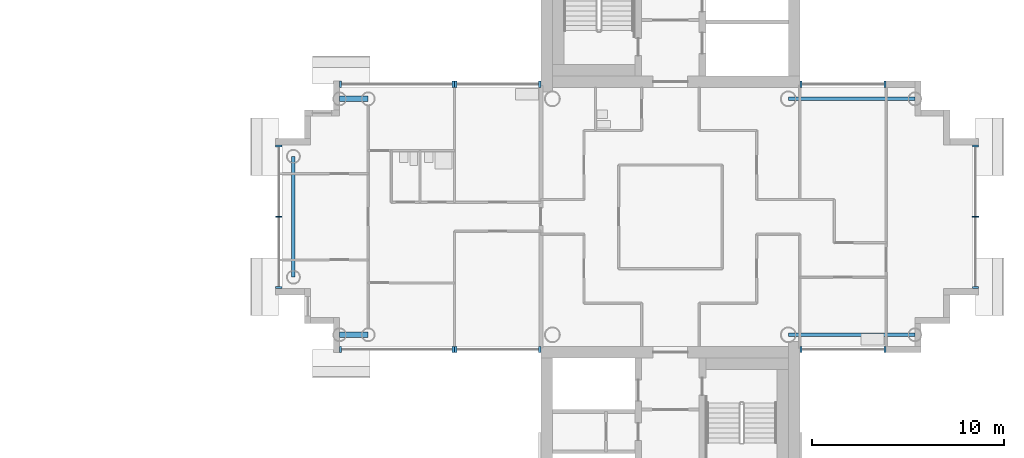
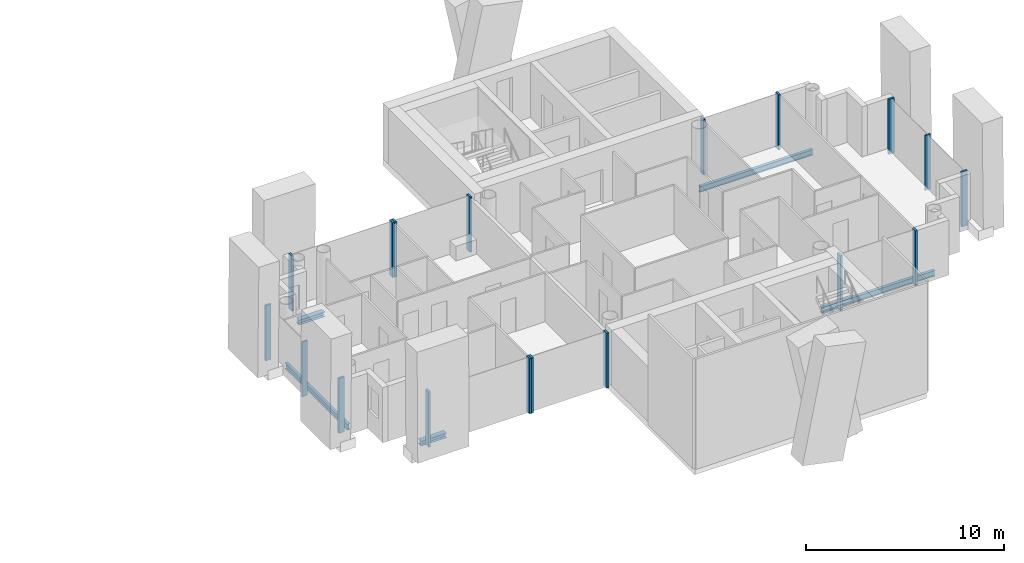
# One storey, part 4 of 18: 18 members, 5 beams, 8 elements without a shape of their own.
"""IFC4 building model written with IfcOpenShell, lengths in metres."""

from ifc_helpers import new_model, si_unit, direction, frame, origin, origin_2d, place, context, subcontext, project, spatial, rectangle, i_section, extrude, material, layer, layer_set, material_profile, profile_set, type_object, element, aggregate, save


model = new_model("IFC4")

# Units and contexts
model_context = context("Model", 3, precision=1e-05, world=origin(), true_north=direction((0.0, 1.0)))
body_context = subcontext(model_context, "Body", "Model", "MODEL_VIEW")
ifc_project = project(units=[si_unit("LENGTHUNIT", "METRE"), si_unit("AREAUNIT", "SQUARE_METRE"), si_unit("VOLUMEUNIT", "CUBIC_METRE"), si_unit("PLANEANGLEUNIT", "RADIAN"), si_unit("MASSUNIT", "GRAM", prefix="KILO")], contexts=[model_context])

# Site, building, storey
site_placement = place(None, origin())
site = spatial("IfcSite", under=ifc_project, at=site_placement, CompositionType="ELEMENT")
building_placement = place(site_placement, origin())
building = spatial("IfcBuilding", under=site, at=building_placement, Name="Ipe Terrace Towers", CompositionType="ELEMENT")
storey_placement = place(building_placement, frame((0.0, 0.0, 202.800048828125)))
storey = spatial("IfcBuildingStorey", under=building, at=storey_placement, Name="L56", CompositionType="ELEMENT", Elevation=202.800048828125)

# Beams
ifc_material_1 = material(Name="Steel S355", Category="steel")
ifc_material_profile_1 = material_profile(ifc_material_1, i_section(OverallWidth=0.300048828125, OverallDepth=0.300048828125, WebThickness=0.010009765625, FlangeThickness=0.014892578125, at=origin_2d()), Name="H-300x300x10x15")
ifc_profile_set_1 = profile_set([ifc_material_profile_1], Name="Steel S355")
beam_type_1 = type_object("IfcBeamType", Name="H03 EDGE BEAM H-300x300x10x15", PredefinedType="BEAM", material=ifc_profile_set_1)
for number, where, z_axis, x_axis, name in (
    (1, (20.25, 6.14990234375, -0.550048828125), (-1.0, 0.0, 0.0), (0.0, -1.0, 0.0), "Edge beam T2-EB-B03-B05"),
    (2, (20.25, -6.14990234375, -0.550048828125), (-1.0, 0.0, 0.0), (0.0, -1.0, 0.0), "Edge beam T2-EB-B04-B06"),
):
    element("IfcBeam", number, at=place(storey_placement, frame(where, z_axis=z_axis, x_axis=x_axis)), inside=storey, type_object=beam_type_1, Name=name, PredefinedType="BEAM", context=body_context, shape_type="SweptSolid", body=[
        extrude(i_section(OverallWidth=0.300048828125, OverallDepth=0.300048828125, WebThickness=0.010009765625, FlangeThickness=0.014892578125, at=origin_2d()), origin(), (0.0, 0.0, 1.0), 1.5),
    ])
ifc_material_2 = material(Name="Steel S355", Category="steel")
ifc_material_profile_2 = material_profile(ifc_material_2, i_section(OverallWidth=0.175048828125, OverallDepth=0.35009765625, WebThickness=0.007080078125, FlangeThickness=0.010986328125, at=origin_2d()), Name="H-350x175x7x11")
ifc_profile_set_2 = profile_set([ifc_material_profile_2], Name="Steel S355")
beam_type_2 = type_object("IfcBeamType", Name="H04 EDGE BEAM H-350x175x7x11", PredefinedType="BEAM", material=ifc_profile_set_2)
beam_placement = place(storey_placement, frame((16.35009765625, 3.14990234375, -0.574951171875), z_axis=(0.0, -1.0, 0.0), x_axis=(1.0, 0.0, 0.0)))
element("IfcBeam", 3, at=beam_placement, inside=storey, type_object=beam_type_2, Name="Edge beam T2-EB-B07-B08", PredefinedType="BEAM", context=body_context, shape_type="SweptSolid", body=[
    extrude(i_section(OverallWidth=0.175048828125, OverallDepth=0.35009765625, WebThickness=0.007080078125, FlangeThickness=0.010986328125, at=origin_2d()), origin(), (0.0, 0.0, 1.0), 6.2998046875),
])
for number, where, z_axis, x_axis, name in (
    (4, (48.75, -6.14990234375, -0.574951171875), (-1.0, 0.0, 0.0), (0.0, -1.0, 0.0), "Edge beam T2-EB-D01-E01"),
    (5, (48.75, 6.14990234375, -0.574951171875), (-1.0, 0.0, 0.0), (0.0, -1.0, 0.0), "Edge beam T2-EB-D02-E02"),
):
    element("IfcBeam", number, at=place(storey_placement, frame(where, z_axis=z_axis, x_axis=x_axis)), inside=storey, type_object=beam_type_2, Name=name, PredefinedType="BEAM", context=body_context, shape_type="SweptSolid", body=[
        extrude(i_section(OverallWidth=0.175048828125, OverallDepth=0.35009765625, WebThickness=0.007080078125, FlangeThickness=0.010986328125, at=origin_2d()), origin(), (0.0, 0.0, 1.0), 6.60009765625),
    ])

# Curtain wall, members
ifc_material_3 = material(Name="Aluminium alloy 6063-T6", Category="aluminium")
ifc_layer = layer(ifc_material_3, 0.320068359375)
ifc_layer_set = layer_set([ifc_layer], Name="TOWER UNITISED CURTAIN WALL")
curtain_wall_type = type_object("IfcCurtainWallType", Name="TOWER UNITISED CURTAIN WALL", PredefinedType="NOTDEFINED", material=ifc_layer_set)
curtain_wall_1_placement = place(storey_placement, origin())
curtain_wall_1 = element("IfcCurtainWall", 6, at=curtain_wall_1_placement, inside=storey, type_object=curtain_wall_type, Name="T2-CW-L56-02a curtain wall", PredefinedType="NOTDEFINED")
ifc_material_4 = material(Name="Aluminium alloy 6063-T6", Category="aluminium")
ifc_material_profile_3 = material_profile(ifc_material_4, rectangle(XDim=0.320068359375, YDim=0.1201171875, at=origin_2d()), Name="TOWER UNITISED CORNER MULLION 320 x 120")
ifc_profile_set_3 = profile_set([ifc_material_profile_3], Name="Aluminium alloy 6063-T6")
member_type_1 = type_object("IfcMemberType", Name="TOWER UNITISED CORNER MULLION 320 x 120", PredefinedType="MULLION", material=ifc_profile_set_3)
member_1_placement = place(storey_placement, frame((42.81005859375, -6.909912109375, -0.300048828125), z_axis=(0.0, 0.0, 1.0), x_axis=(0.0, -1.0, 0.0)))
member_1 = element("IfcMember", 7, at=member_1_placement, type_object=member_type_1, Name="T2-CW-L56-02a mullion 1", PredefinedType="MULLION", context=body_context, shape_type="SweptSolid", body=[
    extrude(rectangle(XDim=0.320068359375, YDim=0.1201171875, at=origin_2d()), origin(), (0.0, 0.0, 1.0), 3.39990234375),
])
member_2_placement = place(storey_placement, frame((47.18994140625, -6.909912109375, -0.300048828125), z_axis=(0.0, 0.0, 1.0), x_axis=(0.0, -1.0, 0.0)))
member_2 = element("IfcMember", 8, at=member_2_placement, type_object=member_type_1, Name="T2-CW-L56-02a mullion 2", PredefinedType="MULLION", context=body_context, shape_type="SweptSolid", body=[
    extrude(rectangle(XDim=0.320068359375, YDim=0.1201171875, at=origin_2d()), origin(), (0.0, 0.0, 1.0), 3.39990234375),
])
aggregate(curtain_wall_1, [member_1, member_2])

curtain_wall_2_placement = place(storey_placement, origin())
curtain_wall_2 = element("IfcCurtainWall", 9, at=curtain_wall_2_placement, inside=storey, type_object=curtain_wall_type, Name="T2-CW-L56-08a curtain wall", PredefinedType="NOTDEFINED")
member_3_placement = place(storey_placement, frame((51.909912109375, -3.68994140625, -0.300048828125), z_axis=(0.0, 0.0, 1.0), x_axis=(1.0, 0.0, 0.0)))
member_3 = element("IfcMember", 10, at=member_3_placement, type_object=member_type_1, Name="T2-CW-L56-08a mullion 1", PredefinedType="MULLION", context=body_context, shape_type="SweptSolid", body=[
    extrude(rectangle(XDim=0.320068359375, YDim=0.1201171875, at=origin_2d()), origin(), (0.0, 0.0, 1.0), 3.39990234375),
])
member_4_placement = place(storey_placement, frame((51.909912109375, 3.68994140625, -0.300048828125), z_axis=(0.0, 0.0, 1.0), x_axis=(1.0, 0.0, 0.0)))
member_4 = element("IfcMember", 11, at=member_4_placement, type_object=member_type_1, Name="T2-CW-L56-08a mullion 3", PredefinedType="MULLION", context=body_context, shape_type="SweptSolid", body=[
    extrude(rectangle(XDim=0.320068359375, YDim=0.1201171875, at=origin_2d()), origin(), (0.0, 0.0, 1.0), 3.39990234375),
])

curtain_wall_3_placement = place(storey_placement, origin())
curtain_wall_3 = element("IfcCurtainWall", 12, at=curtain_wall_3_placement, inside=storey, type_object=curtain_wall_type, Name="T2-CW-L56-14a curtain wall", PredefinedType="NOTDEFINED")
member_5_placement = place(storey_placement, frame((47.18994140625, 6.909912109375, -0.300048828125), z_axis=(0.0, 0.0, 1.0), x_axis=(0.0, 1.0, 0.0)))
member_5 = element("IfcMember", 13, at=member_5_placement, type_object=member_type_1, Name="T2-CW-L56-14a mullion 1", PredefinedType="MULLION", context=body_context, shape_type="SweptSolid", body=[
    extrude(rectangle(XDim=0.320068359375, YDim=0.1201171875, at=origin_2d()), origin(), (0.0, 0.0, 1.0), 3.39990234375),
])
member_6_placement = place(storey_placement, frame((42.81005859375, 6.909912109375, -0.300048828125), z_axis=(0.0, 0.0, 1.0), x_axis=(0.0, 1.0, 0.0)))
member_6 = element("IfcMember", 14, at=member_6_placement, type_object=member_type_1, Name="T2-CW-L56-14a mullion 2", PredefinedType="MULLION", context=body_context, shape_type="SweptSolid", body=[
    extrude(rectangle(XDim=0.320068359375, YDim=0.1201171875, at=origin_2d()), origin(), (0.0, 0.0, 1.0), 3.39990234375),
])
aggregate(curtain_wall_3, [member_5, member_6])

curtain_wall_4_placement = place(storey_placement, origin())
curtain_wall_4 = element("IfcCurtainWall", 15, at=curtain_wall_4_placement, inside=storey, type_object=curtain_wall_type, Name="T2-CW-L56-20a curtain wall", PredefinedType="NOTDEFINED")
member_7_placement = place(storey_placement, frame((29.18994140625, 6.909912109375, -0.300048828125), z_axis=(0.0, 0.0, 1.0), x_axis=(0.0, 1.0, 0.0)))
member_7 = element("IfcMember", 16, at=member_7_placement, type_object=member_type_1, Name="T2-CW-L56-20a mullion 1", PredefinedType="MULLION", context=body_context, shape_type="SweptSolid", body=[
    extrude(rectangle(XDim=0.320068359375, YDim=0.1201171875, at=origin_2d()), origin(), (0.0, 0.0, 1.0), 3.39990234375),
])
member_8_placement = place(storey_placement, frame((24.81005859375, 6.909912109375, -0.300048828125), z_axis=(0.0, 0.0, 1.0), x_axis=(0.0, 1.0, 0.0)))
member_8 = element("IfcMember", 17, at=member_8_placement, type_object=member_type_1, Name="T2-CW-L56-20a mullion 2", PredefinedType="MULLION", context=body_context, shape_type="SweptSolid", body=[
    extrude(rectangle(XDim=0.320068359375, YDim=0.1201171875, at=origin_2d()), origin(), (0.0, 0.0, 1.0), 3.39990234375),
])
aggregate(curtain_wall_4, [member_7, member_8])

curtain_wall_5_placement = place(storey_placement, origin())
curtain_wall_5 = element("IfcCurtainWall", 18, at=curtain_wall_5_placement, inside=storey, type_object=curtain_wall_type, Name="T2-CW-L56-21a curtain wall", PredefinedType="NOTDEFINED")
member_9_placement = place(storey_placement, frame((24.68994140625, 6.909912109375, -0.300048828125), z_axis=(0.0, 0.0, 1.0), x_axis=(0.0, 1.0, 0.0)))
member_9 = element("IfcMember", 19, at=member_9_placement, type_object=member_type_1, Name="T2-CW-L56-21a mullion 1", PredefinedType="MULLION", context=body_context, shape_type="SweptSolid", body=[
    extrude(rectangle(XDim=0.320068359375, YDim=0.1201171875, at=origin_2d()), origin(), (0.0, 0.0, 1.0), 3.39990234375),
])
member_10_placement = place(storey_placement, frame((18.81005859375, 6.909912109375, -0.300048828125), z_axis=(0.0, 0.0, 1.0), x_axis=(0.0, 1.0, 0.0)))
member_10 = element("IfcMember", 20, at=member_10_placement, type_object=member_type_1, Name="T2-CW-L56-21a mullion 2", PredefinedType="MULLION", context=body_context, shape_type="SweptSolid", body=[
    extrude(rectangle(XDim=0.320068359375, YDim=0.1201171875, at=origin_2d()), origin(), (0.0, 0.0, 1.0), 3.39990234375),
])
aggregate(curtain_wall_5, [member_9, member_10])

curtain_wall_6_placement = place(storey_placement, origin())
curtain_wall_6 = element("IfcCurtainWall", 21, at=curtain_wall_6_placement, inside=storey, type_object=curtain_wall_type, Name="T2-CW-L56-26a curtain wall", PredefinedType="NOTDEFINED")
member_11_placement = place(storey_placement, frame((15.590087890625, 3.68994140625, -0.300048828125), z_axis=(0.0, 0.0, 1.0), x_axis=(-1.0, 0.0, 0.0)))
member_11 = element("IfcMember", 22, at=member_11_placement, type_object=member_type_1, Name="T2-CW-L56-26a mullion 1", PredefinedType="MULLION", context=body_context, shape_type="SweptSolid", body=[
    extrude(rectangle(XDim=0.320068359375, YDim=0.1201171875, at=origin_2d()), origin(), (0.0, 0.0, 1.0), 3.39990234375),
])
member_12_placement = place(storey_placement, frame((15.590087890625, -3.68994140625, -0.300048828125), z_axis=(0.0, 0.0, 1.0), x_axis=(-1.0, 0.0, 0.0)))
member_12 = element("IfcMember", 23, at=member_12_placement, type_object=member_type_1, Name="T2-CW-L56-26a mullion 3", PredefinedType="MULLION", context=body_context, shape_type="SweptSolid", body=[
    extrude(rectangle(XDim=0.320068359375, YDim=0.1201171875, at=origin_2d()), origin(), (0.0, 0.0, 1.0), 3.39990234375),
])

curtain_wall_7_placement = place(storey_placement, origin())
curtain_wall_7 = element("IfcCurtainWall", 24, at=curtain_wall_7_placement, inside=storey, type_object=curtain_wall_type, Name="T2-CW-L56-31a curtain wall", PredefinedType="NOTDEFINED")
member_13_placement = place(storey_placement, frame((18.81005859375, -6.909912109375, -0.300048828125), z_axis=(0.0, 0.0, 1.0), x_axis=(0.0, -1.0, 0.0)))
member_13 = element("IfcMember", 25, at=member_13_placement, type_object=member_type_1, Name="T2-CW-L56-31a mullion 1", PredefinedType="MULLION", context=body_context, shape_type="SweptSolid", body=[
    extrude(rectangle(XDim=0.320068359375, YDim=0.1201171875, at=origin_2d()), origin(), (0.0, 0.0, 1.0), 3.39990234375),
])
member_14_placement = place(storey_placement, frame((24.68994140625, -6.909912109375, -0.300048828125), z_axis=(0.0, 0.0, 1.0), x_axis=(0.0, -1.0, 0.0)))
member_14 = element("IfcMember", 26, at=member_14_placement, type_object=member_type_1, Name="T2-CW-L56-31a mullion 2", PredefinedType="MULLION", context=body_context, shape_type="SweptSolid", body=[
    extrude(rectangle(XDim=0.320068359375, YDim=0.1201171875, at=origin_2d()), origin(), (0.0, 0.0, 1.0), 3.39990234375),
])
aggregate(curtain_wall_7, [member_13, member_14])

curtain_wall_8_placement = place(storey_placement, origin())
curtain_wall_8 = element("IfcCurtainWall", 27, at=curtain_wall_8_placement, inside=storey, type_object=curtain_wall_type, Name="T2-CW-L56-32a curtain wall", PredefinedType="NOTDEFINED")
member_15_placement = place(storey_placement, frame((24.81005859375, -6.909912109375, -0.300048828125), z_axis=(0.0, 0.0, 1.0), x_axis=(0.0, -1.0, 0.0)))
member_15 = element("IfcMember", 28, at=member_15_placement, type_object=member_type_1, Name="T2-CW-L56-32a mullion 1", PredefinedType="MULLION", context=body_context, shape_type="SweptSolid", body=[
    extrude(rectangle(XDim=0.320068359375, YDim=0.1201171875, at=origin_2d()), origin(), (0.0, 0.0, 1.0), 3.39990234375),
])
member_16_placement = place(storey_placement, frame((29.18994140625, -6.909912109375, -0.300048828125), z_axis=(0.0, 0.0, 1.0), x_axis=(0.0, -1.0, 0.0)))
member_16 = element("IfcMember", 29, at=member_16_placement, type_object=member_type_1, Name="T2-CW-L56-32a mullion 2", PredefinedType="MULLION", context=body_context, shape_type="SweptSolid", body=[
    extrude(rectangle(XDim=0.320068359375, YDim=0.1201171875, at=origin_2d()), origin(), (0.0, 0.0, 1.0), 3.39990234375),
])
aggregate(curtain_wall_8, [member_15, member_16])

# Member
ifc_material_5 = material(Name="Aluminium alloy 6063-T6", Category="aluminium")
ifc_material_profile_4 = material_profile(ifc_material_5, rectangle(XDim=0.320068359375, YDim=0.06494140625, at=origin_2d()), Name="TOWER UNITISED MULLION 320 x 65")
ifc_profile_set_4 = profile_set([ifc_material_profile_4], Name="Aluminium alloy 6063-T6")
member_type_2 = type_object("IfcMemberType", Name="TOWER UNITISED MULLION 320 x 65", PredefinedType="MULLION", material=ifc_profile_set_4)
member_17_placement = place(storey_placement, frame((51.909912109375, 0.0, -0.300048828125), z_axis=(0.0, 0.0, 1.0), x_axis=(1.0, 0.0, 0.0)))
member_17 = element("IfcMember", 30, at=member_17_placement, type_object=member_type_2, Name="T2-CW-L56-08a mullion 2", PredefinedType="MULLION", context=body_context, shape_type="SweptSolid", body=[
    extrude(rectangle(XDim=0.320068359375, YDim=0.06494140625, at=origin_2d()), origin(), (0.0, 0.0, 1.0), 3.39990234375),
])

aggregate(curtain_wall_2, [member_3, member_17, member_4])

member_18_placement = place(storey_placement, frame((15.590087890625, 0.0, -0.300048828125), z_axis=(0.0, 0.0, 1.0), x_axis=(-1.0, 0.0, 0.0)))
member_18 = element("IfcMember", 31, at=member_18_placement, type_object=member_type_2, Name="T2-CW-L56-26a mullion 2", PredefinedType="MULLION", context=body_context, shape_type="SweptSolid", body=[
    extrude(rectangle(XDim=0.320068359375, YDim=0.06494140625, at=origin_2d()), origin(), (0.0, 0.0, 1.0), 3.39990234375),
])

aggregate(curtain_wall_6, [member_11, member_18, member_12])

save(model, "model.ifc")
